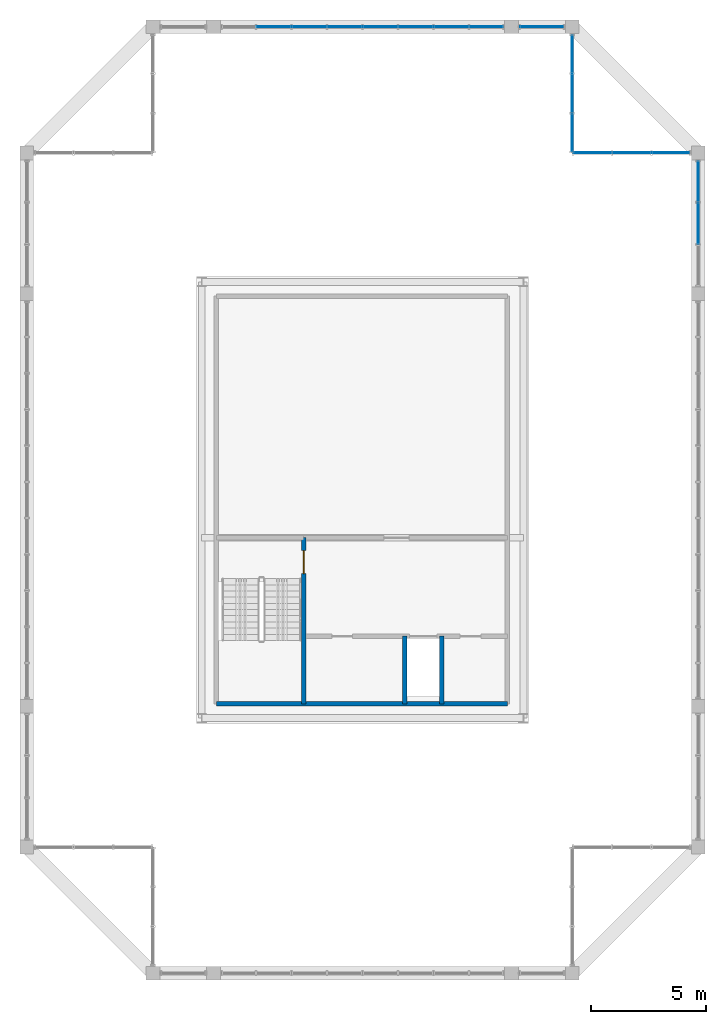
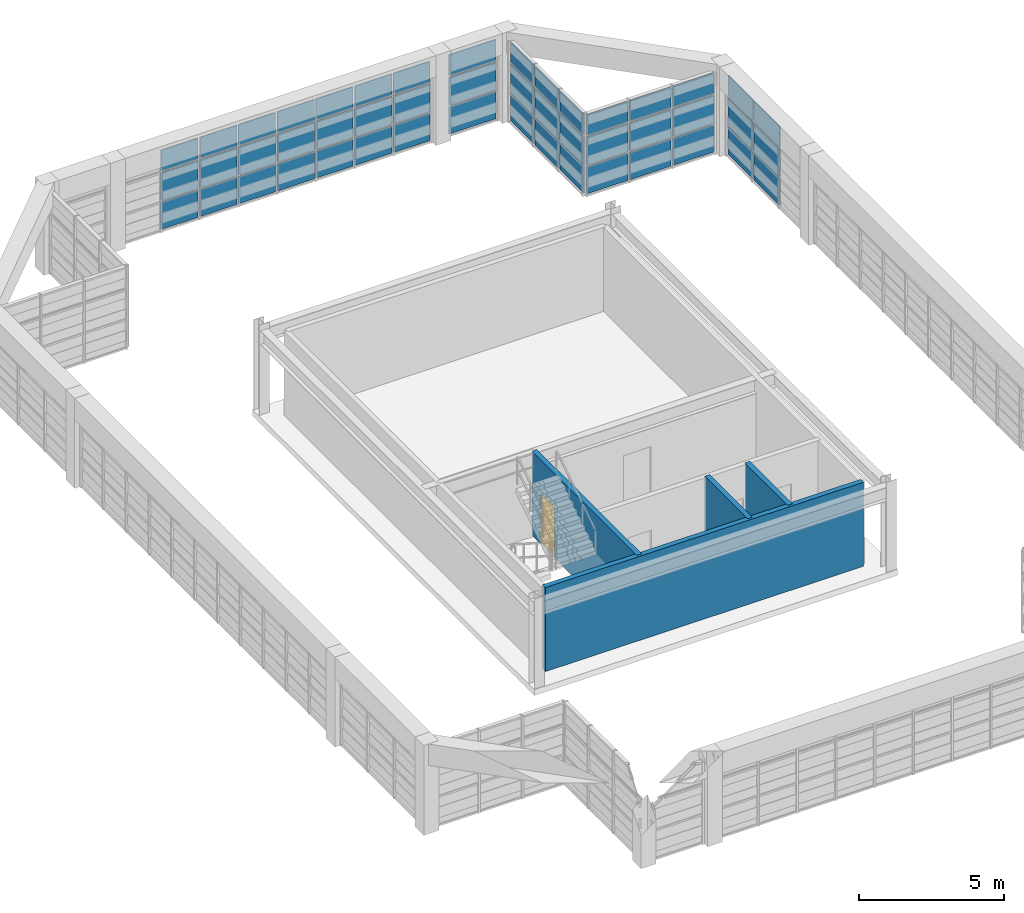
# One storey, part 23 of 27: 48 plates, 4 walls, 1 door, 1 opening, 5 elements without a shape of their own.
"""IFC4 building model written with IfcOpenShell, lengths in metres."""

from ifc_helpers import new_model, si_unit, direction, frame, frame_2d, origin, origin_2d, place, context, subcontext, project, spatial, rectangle, extrude, source, transform, mapped, material, layer, layer_set, type_object, element, fill, aggregate, save


model = new_model("IFC4")

# Units and contexts
model_context = context("Model", 3, precision=1e-05, world=origin(), true_north=direction((0.0, 1.0)))
body_context = subcontext(model_context, "Body", "Model", "MODEL_VIEW")
ifc_project = project(units=[si_unit("LENGTHUNIT", "METRE"), si_unit("AREAUNIT", "SQUARE_METRE"), si_unit("VOLUMEUNIT", "CUBIC_METRE"), si_unit("PLANEANGLEUNIT", "RADIAN"), si_unit("MASSUNIT", "GRAM", prefix="KILO")], contexts=[model_context])

# Site, building, storey
site_placement = place(None, origin())
site = spatial("IfcSite", under=ifc_project, at=site_placement, CompositionType="ELEMENT")
building_placement = place(site_placement, origin())
building = spatial("IfcBuilding", under=site, at=building_placement, Name="Saelheon Loggia Tower", CompositionType="ELEMENT")
storey_placement = place(building_placement, frame((0.0, 0.0, 256.0)))
storey = spatial("IfcBuildingStorey", under=building, at=storey_placement, Name="CR2", CompositionType="ELEMENT", Elevation=256.0)

# Curtain wall, plates
ifc_material_1 = material(Name="Bronze-Anodised Aluminium and Fritted Ceramic Screen", Category="aluminium")
ifc_layer_1 = layer(ifc_material_1, 0.219970703125)
ifc_layer_set_1 = layer_set([ifc_layer_1], Name="Bronze-Anodised Aluminium and Fritted Ceramic Screen")
curtain_wall_type = type_object("IfcCurtainWallType", Name="CW_CrownScreen", PredefinedType="NOTDEFINED", material=ifc_layer_set_1)
curtain_wall_1_placement = place(storey_placement, origin())
curtain_wall_1 = element("IfcCurtainWall", 1, at=curtain_wall_1_placement, inside=storey, type_object=curtain_wall_type, Name="CR2 Crown Screen Curtain Wall 6-1", PredefinedType="NOTDEFINED")
ifc_material_2 = material(Name="Bronze Ceramic Fritted Spandrel Panel", Category="aluminium")
ifc_layer_2 = layer(ifc_material_2, 0.0380859375)
ifc_layer_set_2 = layer_set([ifc_layer_2], Name="Bronze Ceramic Fritted Spandrel Panel")
plate_type = type_object("IfcPlateType", Name="CW_CrownScreen_Panel", PredefinedType="CURTAIN_PANEL", material=ifc_layer_set_2)
shared_shape_1 = source(origin(), body_context, "Body", "SweptSolid", [
    extrude(rectangle(XDim=1.889892578125, YDim=0.0380859375, at=origin_2d()), origin(), (0.0, 0.0, 1.0), 1.14501953125),
])
plate_1_placement = place(storey_placement, frame((45.824951171875, 47.64990234375, 0.070068359375), z_axis=(0.0, 0.0, 1.0), x_axis=(-1.0, 0.0, 0.0)))
plate_1 = element("IfcPlate", 2, at=plate_1_placement, type_object=plate_type, Name="CW6 panel 1.1", PredefinedType="CURTAIN_PANEL", context=body_context, shape_type="MappedRepresentation", body=[
    mapped(shared_shape_1, transform((0.0, 0.0, 0.0), scale=1.0)),
])
shared_shape_2 = source(origin(), body_context, "Body", "SweptSolid", [
    extrude(rectangle(XDim=1.889892578125, YDim=0.0380859375, at=origin_2d()), origin(), (0.0, 0.0, 1.0), 1.179931640625),
])
plate_2_placement = place(storey_placement, frame((45.824951171875, 47.64990234375, 1.28515625), z_axis=(0.0, 0.0, 1.0), x_axis=(-1.0, 0.0, 0.0)))
plate_2 = element("IfcPlate", 3, at=plate_2_placement, type_object=plate_type, Name="CW6 panel 1.2", PredefinedType="CURTAIN_PANEL", context=body_context, shape_type="MappedRepresentation", body=[
    mapped(shared_shape_2, transform((0.0, 0.0, 0.0), scale=1.0)),
])
shared_shape_3 = source(origin(), body_context, "Body", "SweptSolid", [
    extrude(rectangle(XDim=1.889892578125, YDim=0.0380859375, at=origin_2d()), origin(), (0.0, 0.0, 1.0), 0.875),
])
plate_3_placement = place(storey_placement, frame((45.824951171875, 47.64990234375, 2.534912109375), z_axis=(0.0, 0.0, 1.0), x_axis=(-1.0, 0.0, 0.0)))
plate_3 = element("IfcPlate", 4, at=plate_3_placement, type_object=plate_type, Name="CW6 panel 1.3", PredefinedType="CURTAIN_PANEL", context=body_context, shape_type="MappedRepresentation", body=[
    mapped(shared_shape_3, transform((0.0, 0.0, 0.0), scale=1.0)),
])
aggregate(curtain_wall_1, [plate_1, plate_2, plate_3])

curtain_wall_2_placement = place(storey_placement, origin())
curtain_wall_2 = element("IfcCurtainWall", 5, at=curtain_wall_2_placement, inside=storey, type_object=curtain_wall_type, Name="CR2 Crown Screen Curtain Wall 6-2", PredefinedType="NOTDEFINED")
shared_shape_4 = source(origin(), body_context, "Body", "SweptSolid", [
    extrude(rectangle(XDim=1.4423828125, YDim=0.0380859375, at=origin_2d()), origin(), (0.0, 0.0, 1.0), 1.14501953125),
])
plate_4_placement = place(storey_placement, frame((43.398681640625, 47.64990234375, 0.070068359375), z_axis=(0.0, 0.0, 1.0), x_axis=(-1.0, 0.0, 0.0)))
plate_4 = element("IfcPlate", 6, at=plate_4_placement, type_object=plate_type, Name="CW6 panel 1.1", PredefinedType="CURTAIN_PANEL", context=body_context, shape_type="MappedRepresentation", body=[
    mapped(shared_shape_4, transform((0.0, 0.0, 0.0), scale=1.0)),
])
shared_shape_5 = source(origin(), body_context, "Body", "SweptSolid", [
    extrude(rectangle(XDim=1.4423828125, YDim=0.0380859375, at=origin_2d()), origin(), (0.0, 0.0, 1.0), 1.179931640625),
])
plate_5_placement = place(storey_placement, frame((43.398681640625, 47.64990234375, 1.28515625), z_axis=(0.0, 0.0, 1.0), x_axis=(-1.0, 0.0, 0.0)))
plate_5 = element("IfcPlate", 7, at=plate_5_placement, type_object=plate_type, Name="CW6 panel 1.2", PredefinedType="CURTAIN_PANEL", context=body_context, shape_type="MappedRepresentation", body=[
    mapped(shared_shape_5, transform((0.0, 0.0, 0.0), scale=1.0)),
])
shared_shape_6 = source(origin(), body_context, "Body", "SweptSolid", [
    extrude(rectangle(XDim=1.4423828125, YDim=0.0380859375, at=origin_2d()), origin(), (0.0, 0.0, 1.0), 0.875),
])
plate_6_placement = place(storey_placement, frame((43.398681640625, 47.64990234375, 2.534912109375), z_axis=(0.0, 0.0, 1.0), x_axis=(-1.0, 0.0, 0.0)))
plate_6 = element("IfcPlate", 8, at=plate_6_placement, type_object=plate_type, Name="CW6 panel 1.3", PredefinedType="CURTAIN_PANEL", context=body_context, shape_type="MappedRepresentation", body=[
    mapped(shared_shape_6, transform((0.0, 0.0, 0.0), scale=1.0)),
])
shared_shape_7 = source(origin(), body_context, "Body", "SweptSolid", [
    extrude(rectangle(XDim=1.4775390625, YDim=0.0380859375, at=origin_2d()), origin(), (0.0, 0.0, 1.0), 1.14501953125),
])
plate_7_placement = place(storey_placement, frame((41.86865234375, 47.64990234375, 0.070068359375), z_axis=(0.0, 0.0, 1.0), x_axis=(-1.0, 0.0, 0.0)))
plate_7 = element("IfcPlate", 9, at=plate_7_placement, type_object=plate_type, Name="CW6 panel 2.1", PredefinedType="CURTAIN_PANEL", context=body_context, shape_type="MappedRepresentation", body=[
    mapped(shared_shape_7, transform((0.0, 0.0, 0.0), scale=1.0)),
])
plate_8_placement = place(storey_placement, frame((40.3212890625, 47.64990234375, 0.070068359375), z_axis=(0.0, 0.0, 1.0), x_axis=(-1.0, 0.0, 0.0)))
plate_8 = element("IfcPlate", 10, at=plate_8_placement, type_object=plate_type, Name="CW6 panel 3.1", PredefinedType="CURTAIN_PANEL", context=body_context, shape_type="MappedRepresentation", body=[
    mapped(shared_shape_7, transform((0.0, 0.0, 0.0), scale=1.0)),
])
plate_9_placement = place(storey_placement, frame((38.773681640625, 47.64990234375, 0.070068359375), z_axis=(0.0, 0.0, 1.0), x_axis=(-1.0, 0.0, 0.0)))
plate_9 = element("IfcPlate", 11, at=plate_9_placement, type_object=plate_type, Name="CW6 panel 4.1", PredefinedType="CURTAIN_PANEL", context=body_context, shape_type="MappedRepresentation", body=[
    mapped(shared_shape_7, transform((0.0, 0.0, 0.0), scale=1.0)),
])
plate_10_placement = place(storey_placement, frame((37.226318359375, 47.64990234375, 0.070068359375), z_axis=(0.0, 0.0, 1.0), x_axis=(-1.0, 0.0, 0.0)))
plate_10 = element("IfcPlate", 12, at=plate_10_placement, type_object=plate_type, Name="CW6 panel 5.1", PredefinedType="CURTAIN_PANEL", context=body_context, shape_type="MappedRepresentation", body=[
    mapped(shared_shape_7, transform((0.0, 0.0, 0.0), scale=1.0)),
])
plate_11_placement = place(storey_placement, frame((35.6787109375, 47.64990234375, 0.070068359375), z_axis=(0.0, 0.0, 1.0), x_axis=(-1.0, 0.0, 0.0)))
plate_11 = element("IfcPlate", 13, at=plate_11_placement, type_object=plate_type, Name="CW6 panel 6.1", PredefinedType="CURTAIN_PANEL", context=body_context, shape_type="MappedRepresentation", body=[
    mapped(shared_shape_7, transform((0.0, 0.0, 0.0), scale=1.0)),
])
plate_12_placement = place(storey_placement, frame((34.13134765625, 47.64990234375, 0.070068359375), z_axis=(0.0, 0.0, 1.0), x_axis=(-1.0, 0.0, 0.0)))
plate_12 = element("IfcPlate", 14, at=plate_12_placement, type_object=plate_type, Name="CW6 panel 7.1", PredefinedType="CURTAIN_PANEL", context=body_context, shape_type="MappedRepresentation", body=[
    mapped(shared_shape_7, transform((0.0, 0.0, 0.0), scale=1.0)),
])
shared_shape_8 = source(origin(), body_context, "Body", "SweptSolid", [
    extrude(rectangle(XDim=1.4775390625, YDim=0.0380859375, at=origin_2d()), origin(), (0.0, 0.0, 1.0), 1.179931640625),
])
plate_13_placement = place(storey_placement, frame((41.86865234375, 47.64990234375, 1.28515625), z_axis=(0.0, 0.0, 1.0), x_axis=(-1.0, 0.0, 0.0)))
plate_13 = element("IfcPlate", 15, at=plate_13_placement, type_object=plate_type, Name="CW6 panel 2.2", PredefinedType="CURTAIN_PANEL", context=body_context, shape_type="MappedRepresentation", body=[
    mapped(shared_shape_8, transform((0.0, 0.0, 0.0), scale=1.0)),
])
plate_14_placement = place(storey_placement, frame((40.3212890625, 47.64990234375, 1.28515625), z_axis=(0.0, 0.0, 1.0), x_axis=(-1.0, 0.0, 0.0)))
plate_14 = element("IfcPlate", 16, at=plate_14_placement, type_object=plate_type, Name="CW6 panel 3.2", PredefinedType="CURTAIN_PANEL", context=body_context, shape_type="MappedRepresentation", body=[
    mapped(shared_shape_8, transform((0.0, 0.0, 0.0), scale=1.0)),
])
plate_15_placement = place(storey_placement, frame((38.773681640625, 47.64990234375, 1.28515625), z_axis=(0.0, 0.0, 1.0), x_axis=(-1.0, 0.0, 0.0)))
plate_15 = element("IfcPlate", 17, at=plate_15_placement, type_object=plate_type, Name="CW6 panel 4.2", PredefinedType="CURTAIN_PANEL", context=body_context, shape_type="MappedRepresentation", body=[
    mapped(shared_shape_8, transform((0.0, 0.0, 0.0), scale=1.0)),
])
plate_16_placement = place(storey_placement, frame((37.226318359375, 47.64990234375, 1.28515625), z_axis=(0.0, 0.0, 1.0), x_axis=(-1.0, 0.0, 0.0)))
plate_16 = element("IfcPlate", 18, at=plate_16_placement, type_object=plate_type, Name="CW6 panel 5.2", PredefinedType="CURTAIN_PANEL", context=body_context, shape_type="MappedRepresentation", body=[
    mapped(shared_shape_8, transform((0.0, 0.0, 0.0), scale=1.0)),
])
plate_17_placement = place(storey_placement, frame((35.6787109375, 47.64990234375, 1.28515625), z_axis=(0.0, 0.0, 1.0), x_axis=(-1.0, 0.0, 0.0)))
plate_17 = element("IfcPlate", 19, at=plate_17_placement, type_object=plate_type, Name="CW6 panel 6.2", PredefinedType="CURTAIN_PANEL", context=body_context, shape_type="MappedRepresentation", body=[
    mapped(shared_shape_8, transform((0.0, 0.0, 0.0), scale=1.0)),
])
plate_18_placement = place(storey_placement, frame((34.13134765625, 47.64990234375, 1.28515625), z_axis=(0.0, 0.0, 1.0), x_axis=(-1.0, 0.0, 0.0)))
plate_18 = element("IfcPlate", 20, at=plate_18_placement, type_object=plate_type, Name="CW6 panel 7.2", PredefinedType="CURTAIN_PANEL", context=body_context, shape_type="MappedRepresentation", body=[
    mapped(shared_shape_8, transform((0.0, 0.0, 0.0), scale=1.0)),
])
shared_shape_9 = source(origin(), body_context, "Body", "SweptSolid", [
    extrude(rectangle(XDim=1.4775390625, YDim=0.0380859375, at=origin_2d()), origin(), (0.0, 0.0, 1.0), 0.875),
])
plate_19_placement = place(storey_placement, frame((41.86865234375, 47.64990234375, 2.534912109375), z_axis=(0.0, 0.0, 1.0), x_axis=(-1.0, 0.0, 0.0)))
plate_19 = element("IfcPlate", 21, at=plate_19_placement, type_object=plate_type, Name="CW6 panel 2.3", PredefinedType="CURTAIN_PANEL", context=body_context, shape_type="MappedRepresentation", body=[
    mapped(shared_shape_9, transform((0.0, 0.0, 0.0), scale=1.0)),
])
plate_20_placement = place(storey_placement, frame((40.3212890625, 47.64990234375, 2.534912109375), z_axis=(0.0, 0.0, 1.0), x_axis=(-1.0, 0.0, 0.0)))
plate_20 = element("IfcPlate", 22, at=plate_20_placement, type_object=plate_type, Name="CW6 panel 3.3", PredefinedType="CURTAIN_PANEL", context=body_context, shape_type="MappedRepresentation", body=[
    mapped(shared_shape_9, transform((0.0, 0.0, 0.0), scale=1.0)),
])
plate_21_placement = place(storey_placement, frame((38.773681640625, 47.64990234375, 2.534912109375), z_axis=(0.0, 0.0, 1.0), x_axis=(-1.0, 0.0, 0.0)))
plate_21 = element("IfcPlate", 23, at=plate_21_placement, type_object=plate_type, Name="CW6 panel 4.3", PredefinedType="CURTAIN_PANEL", context=body_context, shape_type="MappedRepresentation", body=[
    mapped(shared_shape_9, transform((0.0, 0.0, 0.0), scale=1.0)),
])
plate_22_placement = place(storey_placement, frame((37.226318359375, 47.64990234375, 2.534912109375), z_axis=(0.0, 0.0, 1.0), x_axis=(-1.0, 0.0, 0.0)))
plate_22 = element("IfcPlate", 24, at=plate_22_placement, type_object=plate_type, Name="CW6 panel 5.3", PredefinedType="CURTAIN_PANEL", context=body_context, shape_type="MappedRepresentation", body=[
    mapped(shared_shape_9, transform((0.0, 0.0, 0.0), scale=1.0)),
])
plate_23_placement = place(storey_placement, frame((35.6787109375, 47.64990234375, 2.534912109375), z_axis=(0.0, 0.0, 1.0), x_axis=(-1.0, 0.0, 0.0)))
plate_23 = element("IfcPlate", 25, at=plate_23_placement, type_object=plate_type, Name="CW6 panel 6.3", PredefinedType="CURTAIN_PANEL", context=body_context, shape_type="MappedRepresentation", body=[
    mapped(shared_shape_9, transform((0.0, 0.0, 0.0), scale=1.0)),
])
plate_24_placement = place(storey_placement, frame((34.13134765625, 47.64990234375, 2.534912109375), z_axis=(0.0, 0.0, 1.0), x_axis=(-1.0, 0.0, 0.0)))
plate_24 = element("IfcPlate", 26, at=plate_24_placement, type_object=plate_type, Name="CW6 panel 7.3", PredefinedType="CURTAIN_PANEL", context=body_context, shape_type="MappedRepresentation", body=[
    mapped(shared_shape_9, transform((0.0, 0.0, 0.0), scale=1.0)),
])
aggregate(curtain_wall_2, [plate_4, plate_5, plate_6, plate_7, plate_13, plate_19, plate_8, plate_14, plate_20, plate_9, plate_15, plate_21, plate_10, plate_16, plate_22, plate_11, plate_17, plate_23, plate_12, plate_18, plate_24])

curtain_wall_3_placement = place(storey_placement, origin())
curtain_wall_3 = element("IfcCurtainWall", 27, at=curtain_wall_3_placement, inside=storey, type_object=curtain_wall_type, Name="CR2 Crown Screen Curtain Wall 4-1", PredefinedType="NOTDEFINED")
shared_shape_10 = source(origin(), body_context, "Body", "SweptSolid", [
    extrude(rectangle(XDim=1.625, YDim=0.0380859375, at=origin_2d()), origin(), (0.0, 0.0, 1.0), 1.14501953125),
])
plate_25_placement = place(storey_placement, frame((51.45751953125, 42.14990234375, 0.070068359375), z_axis=(0.0, 0.0, 1.0), x_axis=(-1.0, 0.0, 0.0)))
plate_25 = element("IfcPlate", 28, at=plate_25_placement, type_object=plate_type, Name="CW6 panel 1.1", PredefinedType="CURTAIN_PANEL", context=body_context, shape_type="MappedRepresentation", body=[
    mapped(shared_shape_10, transform((0.0, 0.0, 0.0), scale=1.0)),
])
plate_26_placement = place(storey_placement, frame((48.032470703125, 42.14990234375, 0.070068359375), z_axis=(0.0, 0.0, 1.0), x_axis=(-1.0, 0.0, 0.0)))
plate_26 = element("IfcPlate", 29, at=plate_26_placement, type_object=plate_type, Name="CW6 panel 3.1", PredefinedType="CURTAIN_PANEL", context=body_context, shape_type="MappedRepresentation", body=[
    mapped(shared_shape_10, transform((0.0, 0.0, 0.0), scale=1.0)),
])

curtain_wall_4_placement = place(storey_placement, origin())
curtain_wall_4 = element("IfcCurtainWall", 30, at=curtain_wall_4_placement, inside=storey, type_object=curtain_wall_type, Name="CR2 Crown Screen Curtain Wall 5-1", PredefinedType="NOTDEFINED")
plate_27_placement = place(storey_placement, frame((47.14990234375, 43.032470703125, 0.070068359375), z_axis=(0.0, 0.0, 1.0), x_axis=(0.0, 1.0, 0.0)))
plate_27 = element("IfcPlate", 31, at=plate_27_placement, type_object=plate_type, Name="CW6 panel 1.1", PredefinedType="CURTAIN_PANEL", context=body_context, shape_type="MappedRepresentation", body=[
    mapped(shared_shape_10, transform((0.0, 0.0, 0.0), scale=1.0)),
])
plate_28_placement = place(storey_placement, frame((47.14990234375, 46.45751953125, 0.070068359375), z_axis=(0.0, 0.0, 1.0), x_axis=(0.0, 1.0, 0.0)))
plate_28 = element("IfcPlate", 32, at=plate_28_placement, type_object=plate_type, Name="CW6 panel 3.1", PredefinedType="CURTAIN_PANEL", context=body_context, shape_type="MappedRepresentation", body=[
    mapped(shared_shape_10, transform((0.0, 0.0, 0.0), scale=1.0)),
])

# Plate
shared_shape_11 = source(origin(), body_context, "Body", "SweptSolid", [
    extrude(rectangle(XDim=1.625, YDim=0.0380859375, at=origin_2d()), origin(), (0.0, 0.0, 1.0), 1.179931640625),
])
plate_29_placement = place(storey_placement, frame((51.45751953125, 42.14990234375, 1.28515625), z_axis=(0.0, 0.0, 1.0), x_axis=(-1.0, 0.0, 0.0)))
plate_29 = element("IfcPlate", 33, at=plate_29_placement, type_object=plate_type, Name="CW6 panel 1.2", PredefinedType="CURTAIN_PANEL", context=body_context, shape_type="MappedRepresentation", body=[
    mapped(shared_shape_11, transform((0.0, 0.0, 0.0), scale=1.0)),
])

plate_30_placement = place(storey_placement, frame((48.032470703125, 42.14990234375, 1.28515625), z_axis=(0.0, 0.0, 1.0), x_axis=(-1.0, 0.0, 0.0)))
plate_30 = element("IfcPlate", 34, at=plate_30_placement, type_object=plate_type, Name="CW6 panel 3.2", PredefinedType="CURTAIN_PANEL", context=body_context, shape_type="MappedRepresentation", body=[
    mapped(shared_shape_11, transform((0.0, 0.0, 0.0), scale=1.0)),
])

plate_31_placement = place(storey_placement, frame((47.14990234375, 43.032470703125, 1.28515625), z_axis=(0.0, 0.0, 1.0), x_axis=(0.0, 1.0, 0.0)))
plate_31 = element("IfcPlate", 35, at=plate_31_placement, type_object=plate_type, Name="CW6 panel 1.2", PredefinedType="CURTAIN_PANEL", context=body_context, shape_type="MappedRepresentation", body=[
    mapped(shared_shape_11, transform((0.0, 0.0, 0.0), scale=1.0)),
])

plate_32_placement = place(storey_placement, frame((47.14990234375, 46.45751953125, 1.28515625), z_axis=(0.0, 0.0, 1.0), x_axis=(0.0, 1.0, 0.0)))
plate_32 = element("IfcPlate", 36, at=plate_32_placement, type_object=plate_type, Name="CW6 panel 3.2", PredefinedType="CURTAIN_PANEL", context=body_context, shape_type="MappedRepresentation", body=[
    mapped(shared_shape_11, transform((0.0, 0.0, 0.0), scale=1.0)),
])

shared_shape_12 = source(origin(), body_context, "Body", "SweptSolid", [
    extrude(rectangle(XDim=1.625, YDim=0.0380859375, at=origin_2d()), origin(), (0.0, 0.0, 1.0), 0.875),
])
plate_33_placement = place(storey_placement, frame((51.45751953125, 42.14990234375, 2.534912109375), z_axis=(0.0, 0.0, 1.0), x_axis=(-1.0, 0.0, 0.0)))
plate_33 = element("IfcPlate", 37, at=plate_33_placement, type_object=plate_type, Name="CW6 panel 1.3", PredefinedType="CURTAIN_PANEL", context=body_context, shape_type="MappedRepresentation", body=[
    mapped(shared_shape_12, transform((0.0, 0.0, 0.0), scale=1.0)),
])

plate_34_placement = place(storey_placement, frame((48.032470703125, 42.14990234375, 2.534912109375), z_axis=(0.0, 0.0, 1.0), x_axis=(-1.0, 0.0, 0.0)))
plate_34 = element("IfcPlate", 38, at=plate_34_placement, type_object=plate_type, Name="CW6 panel 3.3", PredefinedType="CURTAIN_PANEL", context=body_context, shape_type="MappedRepresentation", body=[
    mapped(shared_shape_12, transform((0.0, 0.0, 0.0), scale=1.0)),
])

plate_35_placement = place(storey_placement, frame((47.14990234375, 43.032470703125, 2.534912109375), z_axis=(0.0, 0.0, 1.0), x_axis=(0.0, 1.0, 0.0)))
plate_35 = element("IfcPlate", 39, at=plate_35_placement, type_object=plate_type, Name="CW6 panel 1.3", PredefinedType="CURTAIN_PANEL", context=body_context, shape_type="MappedRepresentation", body=[
    mapped(shared_shape_12, transform((0.0, 0.0, 0.0), scale=1.0)),
])

plate_36_placement = place(storey_placement, frame((47.14990234375, 46.45751953125, 2.534912109375), z_axis=(0.0, 0.0, 1.0), x_axis=(0.0, 1.0, 0.0)))
plate_36 = element("IfcPlate", 40, at=plate_36_placement, type_object=plate_type, Name="CW6 panel 3.3", PredefinedType="CURTAIN_PANEL", context=body_context, shape_type="MappedRepresentation", body=[
    mapped(shared_shape_12, transform((0.0, 0.0, 0.0), scale=1.0)),
])

shared_shape_13 = source(origin(), body_context, "Body", "SweptSolid", [
    extrude(rectangle(XDim=1.659912109375, YDim=0.0380859375, at=origin_2d()), origin(), (0.0, 0.0, 1.0), 1.14501953125),
])
plate_37_placement = place(storey_placement, frame((49.7451171875, 42.14990234375, 0.070068359375), z_axis=(0.0, 0.0, 1.0), x_axis=(-1.0, 0.0, 0.0)))
plate_37 = element("IfcPlate", 41, at=plate_37_placement, type_object=plate_type, Name="CW6 panel 2.1", PredefinedType="CURTAIN_PANEL", context=body_context, shape_type="MappedRepresentation", body=[
    mapped(shared_shape_13, transform((0.0, 0.0, 0.0), scale=1.0)),
])

plate_38_placement = place(storey_placement, frame((47.14990234375, 44.7451171875, 0.070068359375), z_axis=(0.0, 0.0, 1.0), x_axis=(0.0, 1.0, 0.0)))
plate_38 = element("IfcPlate", 42, at=plate_38_placement, type_object=plate_type, Name="CW6 panel 2.1", PredefinedType="CURTAIN_PANEL", context=body_context, shape_type="MappedRepresentation", body=[
    mapped(shared_shape_13, transform((0.0, 0.0, 0.0), scale=1.0)),
])

shared_shape_14 = source(origin(), body_context, "Body", "SweptSolid", [
    extrude(rectangle(XDim=1.659912109375, YDim=0.0380859375, at=origin_2d()), origin(), (0.0, 0.0, 1.0), 1.179931640625),
])
plate_39_placement = place(storey_placement, frame((49.7451171875, 42.14990234375, 1.28515625), z_axis=(0.0, 0.0, 1.0), x_axis=(-1.0, 0.0, 0.0)))
plate_39 = element("IfcPlate", 43, at=plate_39_placement, type_object=plate_type, Name="CW6 panel 2.2", PredefinedType="CURTAIN_PANEL", context=body_context, shape_type="MappedRepresentation", body=[
    mapped(shared_shape_14, transform((0.0, 0.0, 0.0), scale=1.0)),
])

plate_40_placement = place(storey_placement, frame((47.14990234375, 44.7451171875, 1.28515625), z_axis=(0.0, 0.0, 1.0), x_axis=(0.0, 1.0, 0.0)))
plate_40 = element("IfcPlate", 44, at=plate_40_placement, type_object=plate_type, Name="CW6 panel 2.2", PredefinedType="CURTAIN_PANEL", context=body_context, shape_type="MappedRepresentation", body=[
    mapped(shared_shape_14, transform((0.0, 0.0, 0.0), scale=1.0)),
])

shared_shape_15 = source(origin(), body_context, "Body", "SweptSolid", [
    extrude(rectangle(XDim=1.659912109375, YDim=0.0380859375, at=origin_2d()), origin(), (0.0, 0.0, 1.0), 0.875),
])
plate_41_placement = place(storey_placement, frame((49.7451171875, 42.14990234375, 2.534912109375), z_axis=(0.0, 0.0, 1.0), x_axis=(-1.0, 0.0, 0.0)))
plate_41 = element("IfcPlate", 45, at=plate_41_placement, type_object=plate_type, Name="CW6 panel 2.3", PredefinedType="CURTAIN_PANEL", context=body_context, shape_type="MappedRepresentation", body=[
    mapped(shared_shape_15, transform((0.0, 0.0, 0.0), scale=1.0)),
])

aggregate(curtain_wall_3, [plate_25, plate_29, plate_33, plate_37, plate_39, plate_41, plate_26, plate_30, plate_34])

plate_42_placement = place(storey_placement, frame((47.14990234375, 44.7451171875, 2.534912109375), z_axis=(0.0, 0.0, 1.0), x_axis=(0.0, 1.0, 0.0)))
plate_42 = element("IfcPlate", 46, at=plate_42_placement, type_object=plate_type, Name="CW6 panel 2.3", PredefinedType="CURTAIN_PANEL", context=body_context, shape_type="MappedRepresentation", body=[
    mapped(shared_shape_15, transform((0.0, 0.0, 0.0), scale=1.0)),
])

aggregate(curtain_wall_4, [plate_27, plate_31, plate_35, plate_38, plate_40, plate_42, plate_28, plate_32, plate_36])

# Curtain wall, plates
curtain_wall_5_placement = place(storey_placement, origin())
curtain_wall_5 = element("IfcCurtainWall", 47, at=curtain_wall_5_placement, inside=storey, type_object=curtain_wall_type, Name="CR2 Crown Screen Curtain Wall 3-3", PredefinedType="NOTDEFINED")
shared_shape_16 = source(origin(), body_context, "Body", "SweptSolid", [
    extrude(rectangle(XDim=1.73828125, YDim=0.0380859375, at=origin_2d()), origin(), (0.0, 0.0, 1.0), 1.14501953125),
])
plate_43_placement = place(storey_placement, frame((52.64990234375, 40.90087890625, 0.070068359375), z_axis=(0.0, 0.0, 1.0), x_axis=(0.0, 1.0, 0.0)))
plate_43 = element("IfcPlate", 48, at=plate_43_placement, type_object=plate_type, Name="CW6 panel 3.1", PredefinedType="CURTAIN_PANEL", context=body_context, shape_type="MappedRepresentation", body=[
    mapped(shared_shape_16, transform((0.0, 0.0, 0.0), scale=1.0)),
])
shared_shape_17 = source(origin(), body_context, "Body", "SweptSolid", [
    extrude(rectangle(XDim=1.73828125, YDim=0.0380859375, at=origin_2d()), origin(), (0.0, 0.0, 1.0), 1.179931640625),
])
plate_44_placement = place(storey_placement, frame((52.64990234375, 40.90087890625, 1.28515625), z_axis=(0.0, 0.0, 1.0), x_axis=(0.0, 1.0, 0.0)))
plate_44 = element("IfcPlate", 49, at=plate_44_placement, type_object=plate_type, Name="CW6 panel 3.2", PredefinedType="CURTAIN_PANEL", context=body_context, shape_type="MappedRepresentation", body=[
    mapped(shared_shape_17, transform((0.0, 0.0, 0.0), scale=1.0)),
])
shared_shape_18 = source(origin(), body_context, "Body", "SweptSolid", [
    extrude(rectangle(XDim=1.73828125, YDim=0.0380859375, at=origin_2d()), origin(), (0.0, 0.0, 1.0), 0.875),
])
plate_45_placement = place(storey_placement, frame((52.64990234375, 40.90087890625, 2.534912109375), z_axis=(0.0, 0.0, 1.0), x_axis=(0.0, 1.0, 0.0)))
plate_45 = element("IfcPlate", 50, at=plate_45_placement, type_object=plate_type, Name="CW6 panel 3.3", PredefinedType="CURTAIN_PANEL", context=body_context, shape_type="MappedRepresentation", body=[
    mapped(shared_shape_18, transform((0.0, 0.0, 0.0), scale=1.0)),
])
shared_shape_19 = source(origin(), body_context, "Body", "SweptSolid", [
    extrude(rectangle(XDim=1.7734375, YDim=0.0380859375, at=origin_2d()), origin(), (0.0, 0.0, 1.0), 1.14501953125),
])
plate_46_placement = place(storey_placement, frame((52.64990234375, 39.074951171875, 0.070068359375), z_axis=(0.0, 0.0, 1.0), x_axis=(0.0, 1.0, 0.0)))
plate_46 = element("IfcPlate", 51, at=plate_46_placement, type_object=plate_type, Name="CW6 panel 2.1", PredefinedType="CURTAIN_PANEL", context=body_context, shape_type="MappedRepresentation", body=[
    mapped(shared_shape_19, transform((0.0, 0.0, 0.0), scale=1.0)),
])
shared_shape_20 = source(origin(), body_context, "Body", "SweptSolid", [
    extrude(rectangle(XDim=1.7734375, YDim=0.0380859375, at=origin_2d()), origin(), (0.0, 0.0, 1.0), 1.179931640625),
])
plate_47_placement = place(storey_placement, frame((52.64990234375, 39.074951171875, 1.28515625), z_axis=(0.0, 0.0, 1.0), x_axis=(0.0, 1.0, 0.0)))
plate_47 = element("IfcPlate", 52, at=plate_47_placement, type_object=plate_type, Name="CW6 panel 2.2", PredefinedType="CURTAIN_PANEL", context=body_context, shape_type="MappedRepresentation", body=[
    mapped(shared_shape_20, transform((0.0, 0.0, 0.0), scale=1.0)),
])
shared_shape_21 = source(origin(), body_context, "Body", "SweptSolid", [
    extrude(rectangle(XDim=1.7734375, YDim=0.0380859375, at=origin_2d()), origin(), (0.0, 0.0, 1.0), 0.875),
])
plate_48_placement = place(storey_placement, frame((52.64990234375, 39.074951171875, 2.534912109375), z_axis=(0.0, 0.0, 1.0), x_axis=(0.0, 1.0, 0.0)))
plate_48 = element("IfcPlate", 53, at=plate_48_placement, type_object=plate_type, Name="CW6 panel 2.3", PredefinedType="CURTAIN_PANEL", context=body_context, shape_type="MappedRepresentation", body=[
    mapped(shared_shape_21, transform((0.0, 0.0, 0.0), scale=1.0)),
])
aggregate(curtain_wall_5, [plate_46, plate_47, plate_48, plate_43, plate_44, plate_45])

# Walls
ifc_material_3 = material(Name="Concrete C40/50", Category="concrete")
ifc_layer_3 = layer(ifc_material_3, 0.199951171875)
ifc_layer_set_3 = layer_set([ifc_layer_3], Name="Concrete C40/50")
wall_type_1 = type_object("IfcWallType", Name="Wall_Shaft_200", PredefinedType="PARTITIONING", material=ifc_layer_set_3)
for number, where, z_axis, x_axis, name in (
    (54, (39.85009765625, 18.10009765625, 0.0), (0.0, 0.0, 1.0), (0.0, 1.0, 0.0), "CR2 SV1 Shaft West Wall"),
    (55, (41.449951171875, 18.10009765625, 0.0), (0.0, 0.0, 1.0), (0.0, 1.0, 0.0), "CR2 SV1 Shaft East Wall"),
):
    element("IfcWall", number, at=place(storey_placement, frame(where, z_axis=z_axis, x_axis=x_axis)), inside=storey, type_object=wall_type_1, Name=name, PredefinedType="PARTITIONING", context=body_context, shape_type="SweptSolid", body=[
        extrude(rectangle(XDim=2.9599609375, YDim=0.199951171875, at=frame_2d((1.47998046875, 0.0))), origin(), (0.0, 0.0, 1.0), 3.550048828125),
    ])
ifc_material_4 = material(Name="Concrete C45/55", Category="concrete")
ifc_layer_4 = layer(ifc_material_4, 0.199951171875)
ifc_layer_set_4 = layer_set([ifc_layer_4], Name="Concrete C45/55")
wall_type_2 = type_object("IfcWallType", Name="Wall_StairShaft_RC200", PredefinedType="SOLIDWALL", material=ifc_layer_set_4)
wall_1_placement = place(storey_placement, frame((31.6201171875, 18.10009765625, 0.0), z_axis=(0.0, 0.0, 1.0), x_axis=(1.0, 0.0, 0.0)))
element("IfcWall", 56, at=wall_1_placement, inside=storey, type_object=wall_type_2, Name="CR2 Crown Core South Enclosure Wall", PredefinedType="SOLIDWALL", context=body_context, shape_type="SweptSolid", body=[
    extrude(rectangle(XDim=12.699951171875, YDim=0.199951171875, at=frame_2d((6.35009765625, 0.0))), origin(), (0.0, 0.0, 1.0), 3.550048828125),
])

# Wall, opening, door
wall_2_placement = place(storey_placement, frame((35.429931640625, 18.10009765625, 0.0), z_axis=(0.0, 0.0, 1.0), x_axis=(0.0, 1.0, 0.0)))
wall_2 = element("IfcWall", 57, at=wall_2_placement, inside=storey, type_object=wall_type_2, Name="CR2 ST5 Shaft East Wall", PredefinedType="SOLIDWALL", context=body_context, shape_type="SweptSolid", body=[
    extrude(rectangle(XDim=7.260009765625, YDim=0.199951171875, at=frame_2d((3.6298828125, 0.0))), origin(), (0.0, 0.0, 1.0), 3.550048828125),
])
opening_placement = place(wall_2_placement, frame((6.68994140625, 0.0, 0.0), z_axis=(0.0, 0.0, 1.0), x_axis=(-1.0, 0.0, 0.0)))
opening = element("IfcOpeningElement", 58, at=opening_placement, cuts=wall_2, Name="Opening D-FD2C", PredefinedType="OPENING", context=body_context, shape_type="SweptSolid", body=[
    extrude(rectangle(XDim=1.0, YDim=2.14990234375, at=frame_2d((0.5, 1.074951171875))), frame((0.0, 0.112060546875, 0.0), z_axis=(0.0, -1.0, 0.0), x_axis=(1.0, 0.0, 0.0)), (0.0, 0.0, 1.0), 0.223876953125),
])
ifc_material_5 = material(Name="Galvanised Steel Fire Door", Category="steel")
door_type = type_object("IfcDoorType", Name="Door_Fire_FD60_1000", OperationType="NOTDEFINED", PredefinedType="DOOR", material=ifc_material_5)
shared_shape_22 = source(origin(), body_context, "Body", "SweptSolid", [
    extrude(rectangle(XDim=1.0, YDim=2.14990234375, at=frame_2d((0.5, 1.074951171875))), frame((0.0, 0.02490234375, 0.0), z_axis=(0.0, -1.0, 0.0), x_axis=(1.0, 0.0, 0.0)), (0.0, 0.0, 1.0), 0.050048828125),
])
door_placement = place(opening_placement, origin())
door = element("IfcDoor", 59, at=door_placement, inside=storey, type_object=door_type, Name="CR2 Crown Stair ST5 Door", OperationType="SINGLE_SWING_RIGHT", OverallHeight=2.14990234375, OverallWidth=1.0, PredefinedType="DOOR", context=body_context, shape_type="MappedRepresentation", body=[
    mapped(shared_shape_22, transform((0.0, 0.0, 0.0), scale=1.0)),
])
fill(opening, door)

save(model, "model.ifc")
